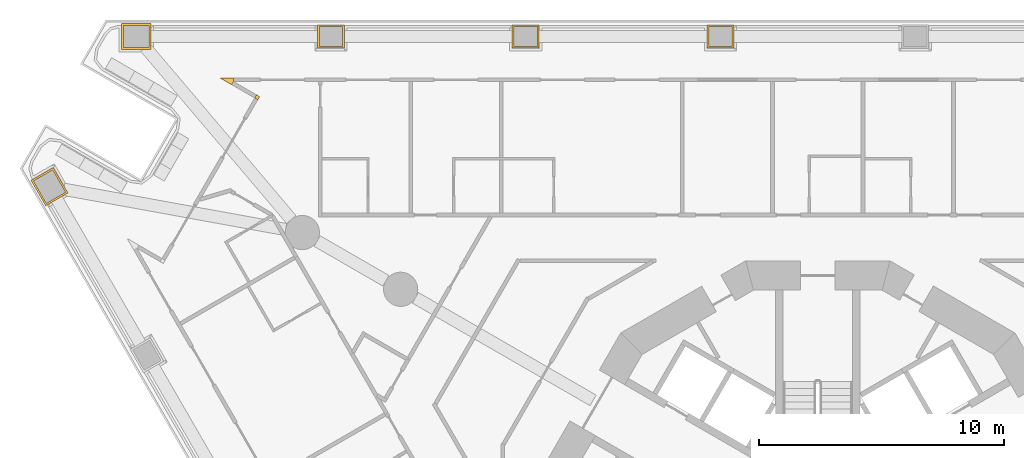
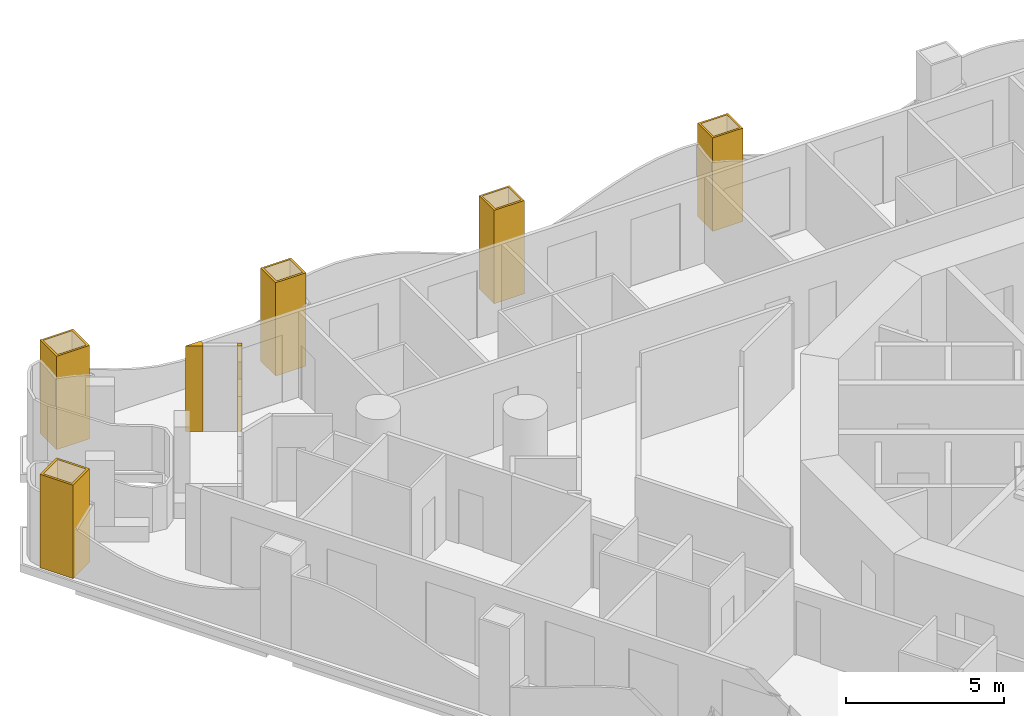
# One storey, part 17 of 20: 7 coverings.
"""IFC4 building model written with IfcOpenShell, lengths in metres."""

from ifc_helpers import new_model, si_unit, direction, frame, origin, place, context, subcontext, project, spatial, polyline, outline, extrude, material, layer, layer_set, type_object, element, save


model = new_model("IFC4")

# Units and contexts
model_context = context("Model", 3, precision=1e-05, world=origin(), true_north=direction((0.0, 1.0)))
body_context = subcontext(model_context, "Body", "Model", "MODEL_VIEW")
ifc_project = project(units=[si_unit("LENGTHUNIT", "METRE"), si_unit("AREAUNIT", "SQUARE_METRE"), si_unit("VOLUMEUNIT", "CUBIC_METRE"), si_unit("PLANEANGLEUNIT", "RADIAN"), si_unit("MASSUNIT", "GRAM", prefix="KILO")], contexts=[model_context])

# Site, building, storey
site_placement = place(None, origin())
site = spatial("IfcSite", under=ifc_project, at=site_placement, CompositionType="ELEMENT")
building_placement = place(site_placement, origin())
building = spatial("IfcBuilding", under=site, at=building_placement, Name="Trine Commons Tower", CompositionType="ELEMENT")
storey_placement = place(building_placement, frame((0.0, 0.0, 35.10009765625)))
storey = spatial("IfcBuildingStorey", under=building, at=storey_placement, Name="L07", CompositionType="ELEMENT", Elevation=35.10009765625)

# Coverings
ifc_material_1 = material(Name="Aluminium-framed insulated wall panel", Category="aluminium")
ifc_layer_1 = layer(ifc_material_1, 0.14990234375)
ifc_layer_set_1 = layer_set([ifc_layer_1], Name="Aluminium-framed insulated wall panel")
covering_type_1 = type_object("IfcCoveringType", Name="Glazing corner post, aluminium", PredefinedType="CLADDING", material=ifc_layer_set_1)
covering_1_placement = place(storey_placement, origin())
element("IfcCovering", 1, at=covering_1_placement, inside=storey, type_object=covering_type_1, Name="Glazing corner post 1-03", PredefinedType="CLADDING", context=body_context, shape_type="SweptSolid", body=[
    extrude(outline(polyline([(57.101318359375, 80.0966796875), (57.176513671875, 80.226806640625), (57.04638671875, 80.3017578125), (56.971435546875, 80.171875), (57.101318359375, 80.0966796875)])), origin(), (0.0, 0.0, 1.0), 3.2998046875),
])
covering_2_placement = place(storey_placement, origin())
element("IfcCovering", 2, at=covering_2_placement, inside=storey, type_object=covering_type_1, Name="Glazing corner post 1-04", PredefinedType="CLADDING", context=body_context, shape_type="SweptSolid", body=[
    extrude(outline(polyline([(56.03125, 80.714599609375), (56.106201171875, 80.844482421875), (56.106201171875, 80.99462890625), (55.54638671875, 80.99462890625), (56.03125, 80.714599609375)])), origin(), (0.0, 0.0, 1.0), 3.2998046875),
])
ifc_material_2 = material(Name="Limestone, honed", Category="masonry")
ifc_layer_2 = layer(ifc_material_2, 0.074951171875)
ifc_layer_set_2 = layer_set([ifc_layer_2], Name="Limestone, honed")
covering_type_2 = type_object("IfcCoveringType", Name="Limestone column cladding 75", PredefinedType="CLADDING", material=ifc_layer_set_2)
covering_3_placement = place(storey_placement, origin())
element("IfcCovering", 3, at=covering_3_placement, inside=storey, type_object=covering_type_2, Name="Limestone pier cladding 1-08", PredefinedType="CLADDING", context=body_context, shape_type="SweptSolid", body=[
    extrude(outline(polyline([(48.73828125, 77.327392578125), (47.8291015625, 76.802490234375), (48.428955078125, 75.76318359375), (49.33837890625, 76.288330078125), (48.73828125, 77.327392578125)]), holes=[polyline([(48.7109375, 77.22509765625), (47.931396484375, 76.775146484375), (48.45654296875, 75.86572265625), (49.23583984375, 76.315673828125), (48.7109375, 77.22509765625)])]), origin(), (0.0, 0.0, 1.0), 3.599853515625),
])
covering_4_placement = place(storey_placement, origin())
element("IfcCovering", 4, at=covering_4_placement, inside=storey, type_object=covering_type_2, Name="Limestone pier cladding 1-09", PredefinedType="CLADDING", context=body_context, shape_type="SweptSolid", body=[
    extrude(outline(polyline([(52.728271484375, 82.15966796875), (52.728271484375, 83.209716796875), (51.5283203125, 83.209716796875), (51.5283203125, 82.15966796875), (52.728271484375, 82.15966796875)]), holes=[polyline([(52.6533203125, 82.234619140625), (52.6533203125, 83.134521484375), (51.603271484375, 83.134521484375), (51.603271484375, 82.234619140625), (52.6533203125, 82.234619140625)])]), origin(), (0.0, 0.0, 1.0), 3.599853515625),
])
covering_5_placement = place(storey_placement, origin())
element("IfcCovering", 5, at=covering_5_placement, inside=storey, type_object=covering_type_2, Name="Limestone pier cladding 1-10", PredefinedType="CLADDING", context=body_context, shape_type="SweptSolid", body=[
    extrude(outline(polyline([(60.6416015625, 82.209716796875), (60.6416015625, 83.15966796875), (59.54150390625, 83.15966796875), (59.54150390625, 82.209716796875), (60.6416015625, 82.209716796875)]), holes=[polyline([(60.566650390625, 82.28466796875), (60.566650390625, 83.084716796875), (59.61669921875, 83.084716796875), (59.61669921875, 82.28466796875), (60.566650390625, 82.28466796875)])]), origin(), (0.0, 0.0, 1.0), 3.599853515625),
])
covering_6_placement = place(storey_placement, origin())
element("IfcCovering", 6, at=covering_6_placement, inside=storey, type_object=covering_type_2, Name="Limestone pier cladding 1-11", PredefinedType="CLADDING", context=body_context, shape_type="SweptSolid", body=[
    extrude(outline(polyline([(68.60498046875, 82.209716796875), (68.60498046875, 83.15966796875), (67.5048828125, 83.15966796875), (67.5048828125, 82.209716796875), (68.60498046875, 82.209716796875)]), holes=[polyline([(68.52978515625, 82.28466796875), (68.52978515625, 83.084716796875), (67.579833984375, 83.084716796875), (67.579833984375, 82.28466796875), (68.52978515625, 82.28466796875)])]), origin(), (0.0, 0.0, 1.0), 3.599853515625),
])
covering_7_placement = place(storey_placement, origin())
element("IfcCovering", 7, at=covering_7_placement, inside=storey, type_object=covering_type_2, Name="Limestone pier cladding 1-12", PredefinedType="CLADDING", context=body_context, shape_type="SweptSolid", body=[
    extrude(outline(polyline([(76.568359375, 82.209716796875), (76.568359375, 83.15966796875), (75.46826171875, 83.15966796875), (75.46826171875, 82.209716796875), (76.568359375, 82.209716796875)]), holes=[polyline([(76.493408203125, 82.28466796875), (76.493408203125, 83.084716796875), (75.543212890625, 83.084716796875), (75.543212890625, 82.28466796875), (76.493408203125, 82.28466796875)])]), origin(), (0.0, 0.0, 1.0), 3.599853515625),
])

save(model, "model.ifc")
